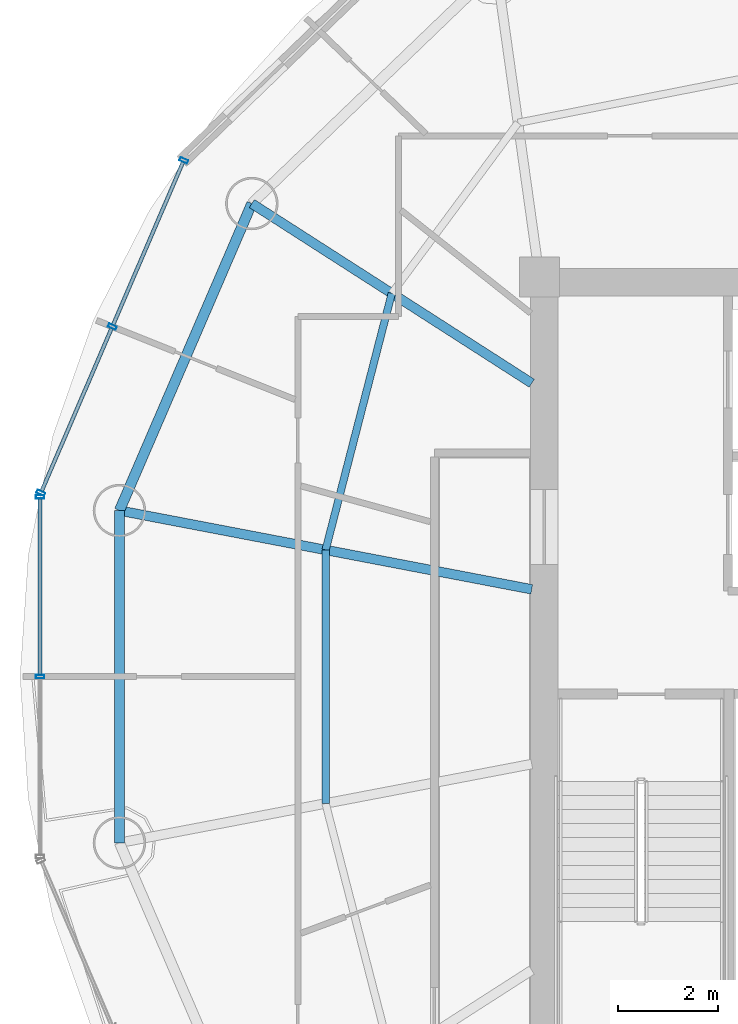
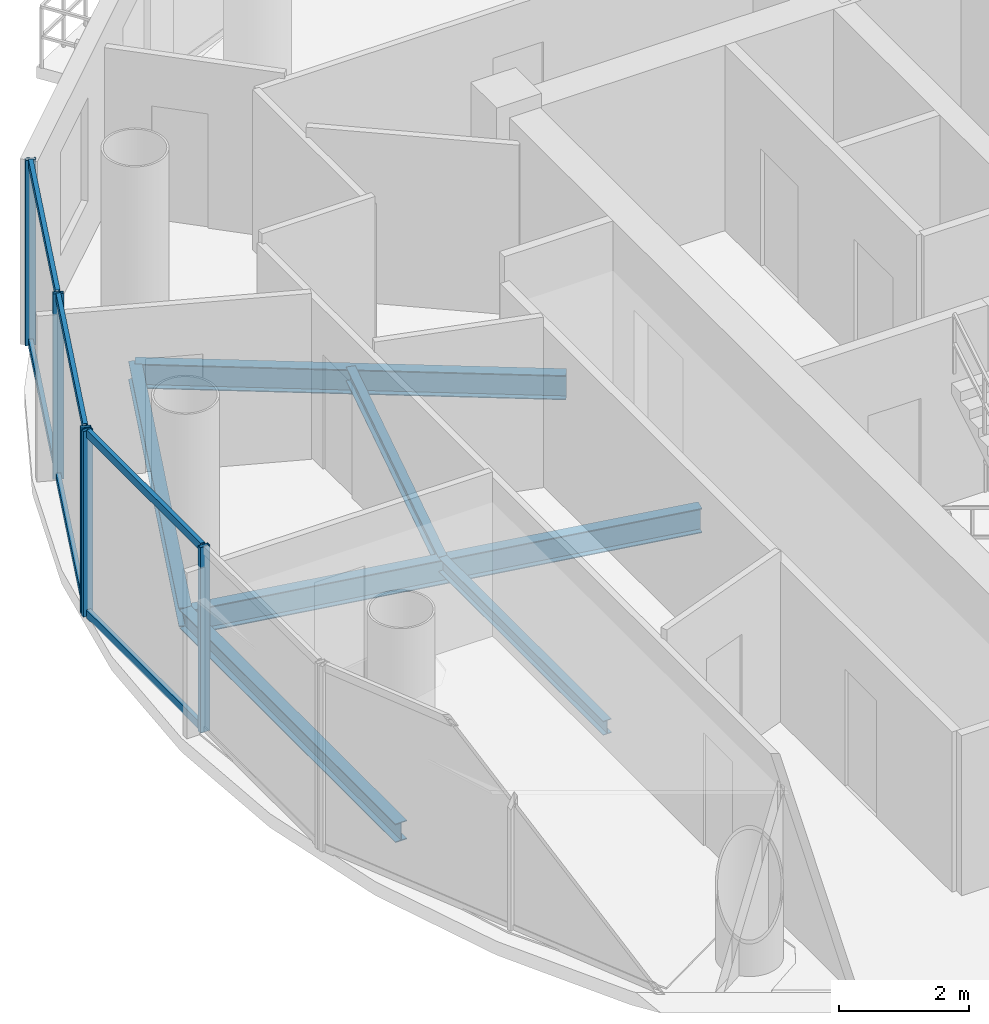
# One storey, part 7 of 21: 11 members, 6 beams, 2 elements without a shape of their own.
"""IFC4 building model written with IfcOpenShell, lengths in metres."""

from ifc_helpers import new_model, si_unit, direction, frame, origin, origin_2d, place, context, subcontext, project, spatial, hollow_rectangle, i_section, extrude, source, transform, mapped, material, material_profile, profile_set, type_object, element, aggregate, save


model = new_model("IFC4")

# Units and contexts
model_context = context("Model", 3, precision=1e-05, world=origin(), true_north=direction((-0.2419218956, 0.970295726276)))
body_context = subcontext(model_context, "Body", "Model", "MODEL_VIEW")
ifc_project = project(units=[si_unit("LENGTHUNIT", "METRE"), si_unit("AREAUNIT", "SQUARE_METRE"), si_unit("VOLUMEUNIT", "CUBIC_METRE"), si_unit("PLANEANGLEUNIT", "RADIAN"), si_unit("MASSUNIT", "GRAM", prefix="KILO")], contexts=[model_context])

# Site, building, storey
site_placement = place(None, origin())
site = spatial("IfcSite", under=ifc_project, at=site_placement, CompositionType="ELEMENT")
building_placement = place(site_placement, origin())
building = spatial("IfcBuilding", under=site, at=building_placement, Name="Cobrevalo Terracotta Tower", CompositionType="ELEMENT")
storey_placement = place(building_placement, frame((0.0, 0.0, 285.699951171875)))
storey = spatial("IfcBuildingStorey", under=building, at=storey_placement, Name="L75", CompositionType="ELEMENT", Elevation=285.699951171875)

# Beams
ifc_material_1 = material(Name="Steel S355", Category="steel")
ifc_material_profile_1 = material_profile(ifc_material_1, i_section(OverallWidth=0.19091796875, OverallDepth=0.4599609375, WebThickness=0.010009765625, FlangeThickness=0.01611328125, at=origin_2d()), Name="W 460x82")
ifc_profile_set_1 = profile_set([ifc_material_profile_1], Name="Steel S355")
beam_type_1 = type_object("IfcBeamType", Name="Structural Beam W 460x82 (Steel S355)", PredefinedType="BEAM", material=ifc_profile_set_1)
beam_1_placement = place(storey_placement, frame((23.241455078125, 36.2724609375, -0.489990234375), z_axis=(0.84157615512, -0.540138477739, 0.0), x_axis=(0.540138477739, 0.84157615512, 0.0)))
element("IfcBeam", 1, at=beam_1_placement, inside=storey, type_object=beam_type_1, Name="L75 radial floor girder 07", PredefinedType="BEAM", context=body_context, shape_type="SweptSolid", body=[
    extrude(i_section(OverallWidth=0.19091796875, OverallDepth=0.4599609375, WebThickness=0.010009765625, FlangeThickness=0.01611328125, at=origin_2d()), origin(), (0.0, 0.0, 1.0), 6.658447265625),
])
beam_2_placement = place(storey_placement, frame((20.591064453125, 30.126220703125, -0.489990234375), z_axis=(0.982234917636, -0.187655446433, 0.0), x_axis=(0.187655446433, 0.982234917636, 0.0)))
element("IfcBeam", 2, at=beam_2_placement, inside=storey, type_object=beam_type_1, Name="L75 radial floor girder 08", PredefinedType="BEAM", context=body_context, shape_type="SweptSolid", body=[
    extrude(i_section(OverallWidth=0.19091796875, OverallDepth=0.4599609375, WebThickness=0.010009765625, FlangeThickness=0.01611328125, at=origin_2d()), origin(), (0.0, 0.0, 1.0), 8.403076171875),
])
ifc_material_profile_2 = material_profile(ifc_material_1, i_section(OverallWidth=0.14794921875, OverallDepth=0.26611328125, WebThickness=0.007568359375, FlangeThickness=0.012939453125, at=origin_2d()), Name="W 250x44.8")
ifc_profile_set_2 = profile_set([ifc_material_profile_2], Name="Steel S355")
beam_type_2 = type_object("IfcBeamType", Name="Structural Joist W 250x44.8 (Steel S355)", PredefinedType="JOIST", material=ifc_profile_set_2)
beam_3_placement = place(storey_placement, frame((26.043212890625, 34.47412109375, -0.39306640625), z_axis=(-0.249816773293, -0.968293126993, 0.0), x_axis=(0.968293126993, -0.249816773293, 0.0)))
element("IfcBeam", 3, at=beam_3_placement, inside=storey, type_object=beam_type_2, Name="L75 circumferential secondary floor joist 07", PredefinedType="JOIST", context=body_context, shape_type="SweptSolid", body=[
    extrude(i_section(OverallWidth=0.14794921875, OverallDepth=0.26611328125, WebThickness=0.007568359375, FlangeThickness=0.012939453125, at=origin_2d()), origin(), (0.0, 0.0, 1.0), 5.3046875),
])
beam_4_placement = place(storey_placement, frame((24.718017578125, 29.337646484375, -0.39306640625), z_axis=(0.0, -1.0, 0.0), x_axis=(1.0, 0.0, 0.0)))
element("IfcBeam", 4, at=beam_4_placement, inside=storey, type_object=beam_type_2, Name="L75 circumferential secondary floor joist 08", PredefinedType="JOIST", context=body_context, shape_type="SweptSolid", body=[
    extrude(i_section(OverallWidth=0.14794921875, OverallDepth=0.26611328125, WebThickness=0.007568359375, FlangeThickness=0.012939453125, at=origin_2d()), origin(), (0.0, 0.0, 1.0), 5.075439453125),
])
ifc_material_profile_3 = material_profile(ifc_material_1, i_section(OverallWidth=0.205078125, OverallDepth=0.35400390625, WebThickness=0.009521484375, FlangeThickness=0.016845703125, at=origin_2d()), Name="W 360x79")
ifc_profile_set_3 = profile_set([ifc_material_profile_3], Name="Steel S355")
beam_type_3 = type_object("IfcBeamType", Name="Structural Spandrel W 360x79 (Steel S355)", PredefinedType="SPANDREL", material=ifc_profile_set_3)
beam_5_placement = place(storey_placement, frame((23.241455078125, 36.2724609375, -0.43701171875), z_axis=(-0.395974127655, -0.918261667624, 0.0), x_axis=(0.918261667624, -0.395974127655, 0.0)))
element("IfcBeam", 5, at=beam_5_placement, inside=storey, type_object=beam_type_3, Name="L75 perimeter ring spandrel 07", PredefinedType="SPANDREL", context=body_context, shape_type="SweptSolid", body=[
    extrude(i_section(OverallWidth=0.205078125, OverallDepth=0.35400390625, WebThickness=0.009521484375, FlangeThickness=0.016845703125, at=origin_2d()), origin(), (0.0, 0.0, 1.0), 6.693359375),
])
beam_6_placement = place(storey_placement, frame((20.591064453125, 30.126220703125, -0.43701171875), z_axis=(0.0, -1.0, 0.0), x_axis=(1.0, 0.0, 0.0)))
element("IfcBeam", 6, at=beam_6_placement, inside=storey, type_object=beam_type_3, Name="L75 perimeter ring spandrel 08", PredefinedType="SPANDREL", context=body_context, shape_type="SweptSolid", body=[
    extrude(i_section(OverallWidth=0.205078125, OverallDepth=0.35400390625, WebThickness=0.009521484375, FlangeThickness=0.016845703125, at=origin_2d()), origin(), (0.0, 0.0, 1.0), 6.652587890625),
])

# Curtain wall, members
ifc_material_2 = material(Name="Anodized aluminium", Category="aluminium")
curtain_wall_type = type_object("IfcCurtainWallType", Name="Upper-tower triple-glazed penthouse curtain wall CW-U3", PredefinedType="NOTDEFINED", material=ifc_material_2)
curtain_wall_1_placement = place(storey_placement, origin())
curtain_wall_1 = element("IfcCurtainWall", 7, at=curtain_wall_1_placement, inside=storey, type_object=curtain_wall_type, Name="L75 curtain wall CW-L75-S07", PredefinedType="NOTDEFINED")
ifc_material_profile_4 = material_profile(ifc_material_2, hollow_rectangle(XDim=0.070068359375, YDim=0.169921875, WallThickness=0.00439453125, at=origin_2d()), Name="CWM 70x170")
ifc_profile_set_4 = profile_set([ifc_material_profile_4], Name="Anodized aluminium")
member_type_1 = type_object("IfcMemberType", Name="Upper tower unitised mullion 70x170", PredefinedType="MULLION", material=ifc_profile_set_4)
shared_shape_1 = source(origin(), body_context, "Body", "SweptSolid", [
    extrude(hollow_rectangle(XDim=0.070068359375, YDim=0.169921875, WallThickness=0.00439453125, at=origin_2d()), origin(), (0.0, 0.0, 1.0), 3.489990234375),
])
member_1_placement = place(storey_placement, frame((21.878662109375, 37.1357421875, 0.0), z_axis=(0.0, 0.0, 1.0), x_axis=(-0.39482403454, -0.91875675875, 0.0)))
member_1 = element("IfcMember", 8, at=member_1_placement, type_object=member_type_1, Name="CW-L75-S07 vertical mullion 01", PredefinedType="MULLION", context=body_context, shape_type="MappedRepresentation", body=[
    mapped(shared_shape_1, transform((0.0, 0.0, 0.0), scale=1.0)),
])
member_2_placement = place(storey_placement, frame((20.4482421875, 33.807373046875, 0.0), z_axis=(0.0, 0.0, 1.0), x_axis=(-0.39482403454, -0.91875675875, 0.0)))
member_2 = element("IfcMember", 9, at=member_2_placement, type_object=member_type_1, Name="CW-L75-S07 vertical mullion 02", PredefinedType="MULLION", context=body_context, shape_type="MappedRepresentation", body=[
    mapped(shared_shape_1, transform((0.0, 0.0, 0.0), scale=1.0)),
])
member_3_placement = place(storey_placement, frame((19.01806640625, 30.47900390625, 0.0), z_axis=(0.0, 0.0, 1.0), x_axis=(-0.39482403454, -0.91875675875, 0.0)))
member_3 = element("IfcMember", 10, at=member_3_placement, type_object=member_type_1, Name="CW-L75-S07 vertical mullion 03", PredefinedType="MULLION", context=body_context, shape_type="MappedRepresentation", body=[
    mapped(shared_shape_1, transform((0.0, 0.0, 0.0), scale=1.0)),
])

curtain_wall_2_placement = place(storey_placement, origin())
curtain_wall_2 = element("IfcCurtainWall", 11, at=curtain_wall_2_placement, inside=storey, type_object=curtain_wall_type, Name="L75 curtain wall CW-L75-S08", PredefinedType="NOTDEFINED")
member_4_placement = place(storey_placement, frame((19.002197265625, 30.40234375, 0.0), z_axis=(0.0, 0.0, 1.0), x_axis=(0.0, -1.0, 0.0)))
member_4 = element("IfcMember", 12, at=member_4_placement, type_object=member_type_1, Name="CW-L75-S08 vertical mullion 01", PredefinedType="MULLION", context=body_context, shape_type="MappedRepresentation", body=[
    mapped(shared_shape_1, transform((0.0, 0.0, 0.0), scale=1.0)),
])
member_5_placement = place(storey_placement, frame((19.002197265625, 26.800048828125, 0.0), z_axis=(0.0, 0.0, 1.0), x_axis=(0.0, -1.0, 0.0)))
member_5 = element("IfcMember", 13, at=member_5_placement, type_object=member_type_1, Name="CW-L75-S08 vertical mullion 02", PredefinedType="MULLION", context=body_context, shape_type="MappedRepresentation", body=[
    mapped(shared_shape_1, transform((0.0, 0.0, 0.0), scale=1.0)),
])

# Member
ifc_material_profile_5 = material_profile(ifc_material_2, hollow_rectangle(XDim=0.074951171875, YDim=0.14990234375, WallThickness=0.00439453125, at=origin_2d()), Name="CWT 75x150")
ifc_profile_set_5 = profile_set([ifc_material_profile_5], Name="Anodized aluminium")
member_type_2 = type_object("IfcMemberType", Name="Tower unitised aluminium transom 75x150", PredefinedType="USERDEFINED", material=ifc_profile_set_5)
shared_shape_2 = source(origin(), body_context, "Body", "SweptSolid", [
    extrude(hollow_rectangle(XDim=0.074951171875, YDim=0.14990234375, WallThickness=0.00439453125, at=origin_2d()), origin(), (0.0, 0.0, 1.0), 3.54248046875),
])
member_6_placement = place(storey_placement, frame((21.86279296875, 37.098876953125, 0.050048828125), z_axis=(-0.394834055841, -0.918752452159, 0.0), x_axis=(0.918752452159, -0.394834055841, 0.0)))
member_6 = element("IfcMember", 14, at=member_6_placement, type_object=member_type_2, Name="CW-L75-S07 transom B01-T1", ObjectType="TRANSOM", PredefinedType="USERDEFINED", context=body_context, shape_type="MappedRepresentation", body=[
    mapped(shared_shape_2, transform((0.0, 0.0, 0.0), scale=1.0)),
])

member_7_placement = place(storey_placement, frame((21.86279296875, 37.098876953125, 3.43994140625), z_axis=(-0.394834055841, -0.918752452159, 0.0), x_axis=(0.918752452159, -0.394834055841, 0.0)))
member_7 = element("IfcMember", 15, at=member_7_placement, type_object=member_type_2, Name="CW-L75-S07 transom B01-T2", ObjectType="TRANSOM", PredefinedType="USERDEFINED", context=body_context, shape_type="MappedRepresentation", body=[
    mapped(shared_shape_2, transform((0.0, 0.0, 0.0), scale=1.0)),
])

shared_shape_3 = source(origin(), body_context, "Body", "SweptSolid", [
    extrude(hollow_rectangle(XDim=0.074951171875, YDim=0.14990234375, WallThickness=0.00439453125, at=origin_2d()), origin(), (0.0, 0.0, 1.0), 3.542724609375),
])
member_8_placement = place(storey_placement, frame((20.4326171875, 33.770751953125, 0.050048828125), z_axis=(-0.394867226589, -0.918738196314, 0.0), x_axis=(0.918738196314, -0.394867226589, 0.0)))
member_8 = element("IfcMember", 16, at=member_8_placement, type_object=member_type_2, Name="CW-L75-S07 transom B02-T1", ObjectType="TRANSOM", PredefinedType="USERDEFINED", context=body_context, shape_type="MappedRepresentation", body=[
    mapped(shared_shape_3, transform((0.0, 0.0, 0.0), scale=1.0)),
])

member_9_placement = place(storey_placement, frame((20.4326171875, 33.770751953125, 3.43994140625), z_axis=(-0.394867226589, -0.918738196314, 0.0), x_axis=(0.918738196314, -0.394867226589, 0.0)))
member_9 = element("IfcMember", 17, at=member_9_placement, type_object=member_type_2, Name="CW-L75-S07 transom B02-T2", ObjectType="TRANSOM", PredefinedType="USERDEFINED", context=body_context, shape_type="MappedRepresentation", body=[
    mapped(shared_shape_3, transform((0.0, 0.0, 0.0), scale=1.0)),
])

aggregate(curtain_wall_1, [member_1, member_2, member_3, member_6, member_7, member_8, member_9])

shared_shape_4 = source(origin(), body_context, "Body", "SweptSolid", [
    extrude(hollow_rectangle(XDim=0.074951171875, YDim=0.14990234375, WallThickness=0.00439453125, at=origin_2d()), origin(), (0.0, 0.0, 1.0), 3.522216796875),
])
member_10_placement = place(storey_placement, frame((19.002197265625, 30.3623046875, 0.050048828125), z_axis=(0.0, -1.0, 0.0), x_axis=(1.0, 0.0, 0.0)))
member_10 = element("IfcMember", 18, at=member_10_placement, type_object=member_type_2, Name="CW-L75-S08 transom B01-T1", ObjectType="TRANSOM", PredefinedType="USERDEFINED", context=body_context, shape_type="MappedRepresentation", body=[
    mapped(shared_shape_4, transform((0.0, 0.0, 0.0), scale=1.0)),
])

member_11_placement = place(storey_placement, frame((19.002197265625, 30.3623046875, 3.43994140625), z_axis=(0.0, -1.0, 0.0), x_axis=(1.0, 0.0, 0.0)))
member_11 = element("IfcMember", 19, at=member_11_placement, type_object=member_type_2, Name="CW-L75-S08 transom B01-T2", ObjectType="TRANSOM", PredefinedType="USERDEFINED", context=body_context, shape_type="MappedRepresentation", body=[
    mapped(shared_shape_4, transform((0.0, 0.0, 0.0), scale=1.0)),
])

aggregate(curtain_wall_2, [member_4, member_5, member_10, member_11])

save(model, "model.ifc")
